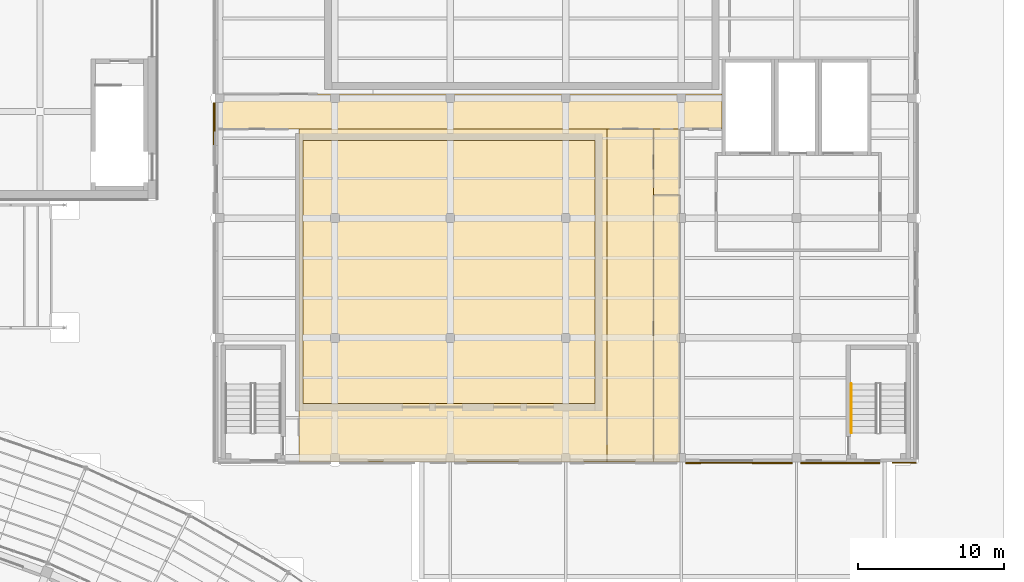
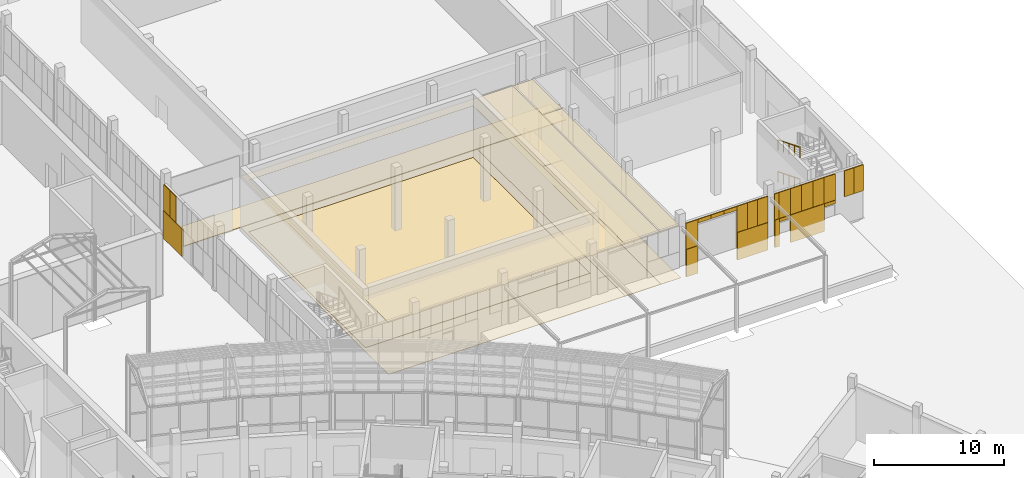
# One storey, part 148 of 155: 34 coverings, 2 railings.
"""IFC4 building model written with IfcOpenShell, lengths in metres."""

from ifc_helpers import new_model, si_unit, direction, frame, origin, origin_2d, place, context, subcontext, project, spatial, polyline, rectangle, circle, outline, extrude, material, layer, layer_set, type_object, element, save


model = new_model("IFC4")

# Units and contexts
model_context = context("Model", 3, precision=1e-05, world=origin(), true_north=direction((0.0, 1.0)))
body_context = subcontext(model_context, "Body", "Model", "MODEL_VIEW")
ifc_project = project(units=[si_unit("LENGTHUNIT", "METRE"), si_unit("AREAUNIT", "SQUARE_METRE"), si_unit("VOLUMEUNIT", "CUBIC_METRE"), si_unit("PLANEANGLEUNIT", "RADIAN"), si_unit("MASSUNIT", "GRAM", prefix="KILO")], contexts=[model_context])

# Site, building, storey
site_placement = place(None, origin())
site = spatial("IfcSite", under=ifc_project, at=site_placement, CompositionType="ELEMENT")
building_placement = place(site_placement, origin())
building = spatial("IfcBuilding", under=site, at=building_placement, Name="Lunette Opera House", CompositionType="ELEMENT")
storey_placement = place(building_placement, origin())
storey = spatial("IfcBuildingStorey", under=building, at=storey_placement, Name="L00", CompositionType="ELEMENT", Elevation=0.0)

# Coverings
ifc_material_1 = material(Name="Clinker brick", Category="masonry")
ifc_layer_1 = layer(ifc_material_1, 0.114990234375)
ifc_layer_set_1 = layer_set([ifc_layer_1], Name="Clinker brick")
covering_type_1 = type_object("IfcCoveringType", Name="CLINKER CLADDING 115", PredefinedType="CLADDING", material=ifc_layer_set_1)
covering_1_placement = place(storey_placement, frame((135.94189453125, 101.136962890625, 0.0), z_axis=(0.0, 0.0, 1.0), x_axis=(0.0, -1.0, 0.0)))
element("IfcCovering", 1, at=covering_1_placement, inside=storey, type_object=covering_type_1, Name="Clinker Cladding 115 WB L00", PredefinedType="CLADDING", context=body_context, shape_type="SweptSolid", body=[
    extrude(rectangle(XDim=2.925048828125, YDim=0.114990234375, at=origin_2d()), origin(), (0.0, 0.0, 1.0), 2.60009765625),
])
covering_2_placement = place(storey_placement, frame((168.72509765625, 77.94189453125, 0.0), z_axis=(0.0, 0.0, 1.0), x_axis=(1.0, 0.0, 0.0)))
element("IfcCovering", 2, at=covering_2_placement, inside=storey, type_object=covering_type_1, Name="Clinker Cladding 115 WB L00", PredefinedType="CLADDING", context=body_context, shape_type="SweptSolid", body=[
    extrude(rectangle(XDim=1.050048828125, YDim=0.114990234375, at=origin_2d()), origin(), (0.0, 0.0, 1.0), 2.60009765625),
])
covering_3_placement = place(storey_placement, frame((174.125, 77.94189453125, 0.0), z_axis=(0.0, 0.0, 1.0), x_axis=(1.0, 0.0, 0.0)))
element("IfcCovering", 3, at=covering_3_placement, inside=storey, type_object=covering_type_1, Name="Clinker Cladding 115 WB L00", PredefinedType="CLADDING", context=body_context, shape_type="SweptSolid", body=[
    extrude(rectangle(XDim=2.75, YDim=0.114990234375, at=origin_2d()), origin(), (0.0, 0.0, 1.0), 2.60009765625),
])
covering_4_placement = place(storey_placement, frame((176.300048828125, 77.94189453125, 0.0), z_axis=(0.0, 0.0, 1.0), x_axis=(1.0, 0.0, 0.0)))
element("IfcCovering", 4, at=covering_4_placement, inside=storey, type_object=covering_type_1, Name="Clinker Cladding 115 WB L00", PredefinedType="CLADDING", context=body_context, shape_type="SweptSolid", body=[
    extrude(rectangle(XDim=0.39990234375, YDim=0.114990234375, at=origin_2d()), origin(), (0.0, 0.0, 1.0), 2.60009765625),
])
covering_5_placement = place(storey_placement, frame((177.0, 77.94189453125, 2.2998046875), z_axis=(0.0, 0.0, 1.0), x_axis=(1.0, 0.0, 0.0)))
element("IfcCovering", 5, at=covering_5_placement, inside=storey, type_object=covering_type_1, Name="Clinker Cladding 115 WB L00", PredefinedType="CLADDING", context=body_context, shape_type="SweptSolid", body=[
    extrude(rectangle(XDim=1.0, YDim=0.114990234375, at=origin_2d()), origin(), (0.0, 0.0, 1.0), 0.300048828125),
])
covering_6_placement = place(storey_placement, frame((179.0, 77.94189453125, 0.0), z_axis=(0.0, 0.0, 1.0), x_axis=(1.0, 0.0, 0.0)))
element("IfcCovering", 6, at=covering_6_placement, inside=storey, type_object=covering_type_1, Name="Clinker Cladding 115 WB L00", PredefinedType="CLADDING", context=body_context, shape_type="SweptSolid", body=[
    extrude(rectangle(XDim=3.0, YDim=0.114990234375, at=origin_2d()), origin(), (0.0, 0.0, 1.0), 2.60009765625),
])
covering_7_placement = place(storey_placement, frame((181.0, 77.94189453125, 2.2998046875), z_axis=(0.0, 0.0, 1.0), x_axis=(1.0, 0.0, 0.0)))
element("IfcCovering", 7, at=covering_7_placement, inside=storey, type_object=covering_type_1, Name="Clinker Cladding 115 WB L00", PredefinedType="CLADDING", context=body_context, shape_type="SweptSolid", body=[
    extrude(rectangle(XDim=1.0, YDim=0.114990234375, at=origin_2d()), origin(), (0.0, 0.0, 1.0), 0.300048828125),
])
ifc_material_2 = material(Name="Dark grey aluminium cassette", Category="aluminium")
ifc_layer_2 = layer(ifc_material_2, 0.080078125)
ifc_layer_set_2 = layer_set([ifc_layer_2], Name="Dark grey aluminium cassette")
covering_type_2 = type_object("IfcCoveringType", Name="DARK METAL CASSETTE 80", PredefinedType="CLADDING", material=ifc_layer_set_2)
for number, where, z_axis, x_axis, name in (
    (8, (135.9599609375, 102.112060546875, 2.60009765625), (0.0, 0.0, 1.0), (0.0, -1.0, 0.0), "Dark Metal Cassette 80 WK L00"),
    (9, (135.9599609375, 101.136962890625, 2.60009765625), (0.0, 0.0, 1.0), (0.0, -1.0, 0.0), "Dark Metal Cassette 80 WK L00"),
):
    element("IfcCovering", number, at=place(storey_placement, frame(where, z_axis=z_axis, x_axis=x_axis)), inside=storey, type_object=covering_type_2, Name=name, PredefinedType="CLADDING", context=body_context, shape_type="SweptSolid", body=[
        extrude(rectangle(XDim=0.97509765625, YDim=0.080078125, at=origin_2d()), origin(), (0.0, 0.0, 1.0), 2.449951171875),
    ])
covering_8_placement = place(storey_placement, frame((168.72509765625, 77.9599609375, 2.60009765625), z_axis=(0.0, 0.0, 1.0), x_axis=(1.0, 0.0, 0.0)))
element("IfcCovering", 10, at=covering_8_placement, inside=storey, type_object=covering_type_2, Name="Dark Metal Cassette 80 WK L00", PredefinedType="CLADDING", context=body_context, shape_type="SweptSolid", body=[
    extrude(rectangle(XDim=1.050048828125, YDim=0.080078125, at=origin_2d()), origin(), (0.0, 0.0, 1.0), 2.449951171875),
])
for number, where, z_axis, x_axis, name in (
    (11, (169.8330078125, 77.9599609375, 4.699951171875), (0.0, 0.0, 1.0), (1.0, 0.0, 0.0), "Dark Metal Cassette 80 WK L00"),
    (12, (171.0, 77.9599609375, 4.699951171875), (0.0, 0.0, 1.0), (1.0, 0.0, 0.0), "Dark Metal Cassette 80 WK L00"),
    (13, (172.1669921875, 77.9599609375, 4.699951171875), (0.0, 0.0, 1.0), (1.0, 0.0, 0.0), "Dark Metal Cassette 80 WK L00"),
):
    element("IfcCovering", number, at=place(storey_placement, frame(where, z_axis=z_axis, x_axis=x_axis)), inside=storey, type_object=covering_type_2, Name=name, PredefinedType="CLADDING", context=body_context, shape_type="SweptSolid", body=[
        extrude(rectangle(XDim=1.1669921875, YDim=0.080078125, at=origin_2d()), origin(), (0.0, 0.0, 1.0), 0.35009765625),
    ])
for number, where, z_axis, x_axis, name in (
    (14, (173.2080078125, 77.9599609375, 2.60009765625), (0.0, 0.0, 1.0), (1.0, 0.0, 0.0), "Dark Metal Cassette 80 WK L00"),
    (15, (174.125, 77.9599609375, 2.60009765625), (0.0, 0.0, 1.0), (1.0, 0.0, 0.0), "Dark Metal Cassette 80 WK L00"),
    (16, (175.0419921875, 77.9599609375, 2.60009765625), (0.0, 0.0, 1.0), (1.0, 0.0, 0.0), "Dark Metal Cassette 80 WK L00"),
):
    element("IfcCovering", number, at=place(storey_placement, frame(where, z_axis=z_axis, x_axis=x_axis)), inside=storey, type_object=covering_type_2, Name=name, PredefinedType="CLADDING", context=body_context, shape_type="SweptSolid", body=[
        extrude(rectangle(XDim=0.9169921875, YDim=0.080078125, at=origin_2d()), origin(), (0.0, 0.0, 1.0), 2.449951171875),
    ])
covering_9_placement = place(storey_placement, frame((176.300048828125, 77.9599609375, 2.60009765625), z_axis=(0.0, 0.0, 1.0), x_axis=(1.0, 0.0, 0.0)))
element("IfcCovering", 17, at=covering_9_placement, inside=storey, type_object=covering_type_2, Name="Dark Metal Cassette 80 WK L00", PredefinedType="CLADDING", context=body_context, shape_type="SweptSolid", body=[
    extrude(rectangle(XDim=0.39990234375, YDim=0.080078125, at=origin_2d()), origin(), (0.0, 0.0, 1.0), 2.449951171875),
])
covering_10_placement = place(storey_placement, frame((177.0, 77.9599609375, 2.300048828125), z_axis=(0.0, 0.0, 1.0), x_axis=(1.0, 0.0, 0.0)))
element("IfcCovering", 18, at=covering_10_placement, inside=storey, type_object=covering_type_2, Name="Dark Metal Cassette 80 WK L00", PredefinedType="CLADDING", context=body_context, shape_type="SweptSolid", body=[
    extrude(rectangle(XDim=1.0, YDim=0.080078125, at=origin_2d()), origin(), (0.0, 0.0, 1.0), 2.75),
])
for number, where, z_axis, x_axis, name in (
    (19, (178.0, 77.9599609375, 2.60009765625), (0.0, 0.0, 1.0), (1.0, 0.0, 0.0), "Dark Metal Cassette 80 WK L00"),
    (20, (179.0, 77.9599609375, 2.60009765625), (0.0, 0.0, 1.0), (1.0, 0.0, 0.0), "Dark Metal Cassette 80 WK L00"),
    (21, (180.0, 77.9599609375, 2.60009765625), (0.0, 0.0, 1.0), (1.0, 0.0, 0.0), "Dark Metal Cassette 80 WK L00"),
):
    element("IfcCovering", number, at=place(storey_placement, frame(where, z_axis=z_axis, x_axis=x_axis)), inside=storey, type_object=covering_type_2, Name=name, PredefinedType="CLADDING", context=body_context, shape_type="SweptSolid", body=[
        extrude(rectangle(XDim=1.0, YDim=0.080078125, at=origin_2d()), origin(), (0.0, 0.0, 1.0), 2.449951171875),
    ])
covering_11_placement = place(storey_placement, frame((181.0, 77.9599609375, 2.300048828125), z_axis=(0.0, 0.0, 1.0), x_axis=(1.0, 0.0, 0.0)))
element("IfcCovering", 22, at=covering_11_placement, inside=storey, type_object=covering_type_2, Name="Dark Metal Cassette 80 WK L00", PredefinedType="CLADDING", context=body_context, shape_type="SweptSolid", body=[
    extrude(rectangle(XDim=1.0, YDim=0.080078125, at=origin_2d()), origin(), (0.0, 0.0, 1.0), 2.75),
])
for number, where, z_axis, x_axis, name in (
    (23, (182.75, 77.9599609375, 2.60009765625), (0.0, 0.0, 1.0), (1.0, 0.0, 0.0), "Dark Metal Cassette 80 WK L00"),
    (24, (183.5830078125, 77.9599609375, 2.60009765625), (0.0, 0.0, 1.0), (1.0, 0.0, 0.0), "Dark Metal Cassette 80 WK L00"),
):
    element("IfcCovering", number, at=place(storey_placement, frame(where, z_axis=z_axis, x_axis=x_axis)), inside=storey, type_object=covering_type_2, Name=name, PredefinedType="CLADDING", context=body_context, shape_type="SweptSolid", body=[
        extrude(rectangle(XDim=0.8330078125, YDim=0.080078125, at=origin_2d()), origin(), (0.0, 0.0, 1.0), 2.449951171875),
    ])
ifc_material_3 = material(Name="Cement screed")
ifc_layer_3 = layer(ifc_material_3, 0.070068359375)
ifc_layer_set_3 = layer_set([ifc_layer_3], Name="Cement screed")
covering_type_3 = type_object("IfcCoveringType", Name="SCREED FLOOR FINISH 70", PredefinedType="FLOORING", material=ifc_layer_set_3)
covering_12_placement = place(storey_placement, origin())
element("IfcCovering", 25, at=covering_12_placement, inside=storey, type_object=covering_type_3, Name="Floor finish Corridor L00 Workshop", PredefinedType="FLOORING", context=body_context, shape_type="SweptSolid", body=[
    extrude(outline(polyline([(136.0, 100.800048828125), (136.0, 103.199951171875), (170.699951171875, 103.199951171875), (170.699951171875, 100.800048828125), (136.0, 100.800048828125)])), origin(), (0.0, 0.0, 1.0), 0.070068359375),
])

# Railings
ifc_material_4 = material(Name="Steel S355", Category="steel")
railing_type = type_object("IfcRailingType", Name="STAIR HANDRAIL 1000", PredefinedType="HANDRAIL", material=ifc_material_4)
for number, where, name in (
    (26, (179.550048828125, 83.360107421875, 1.666748046875), "L00 ST20 stair handrail 2"),
    (27, (179.550048828125, 83.360107421875, 4.666748046875), "L00 ST20 stair handrail 4"),
):
    element("IfcRailing", number, at=place(storey_placement, frame(where)), inside=storey, type_object=railing_type, Name=name, PredefinedType="HANDRAIL", context=body_context, shape_type="SweptSolid", body=[
        extrude(circle(Radius=0.02392578125, at=origin_2d()), frame((0.0, 0.0, 0.97607421875), z_axis=(0.0, -0.929502471486, 0.368815882931), x_axis=(1.0, 0.0, 0.0)), (0.0, 0.0, 1.0), 3.614990234375),
        extrude(circle(Radius=0.02099609375, at=origin_2d()), origin(), (0.0, 0.0, 1.0), 0.951904296875),
        extrude(circle(Radius=0.02099609375, at=origin_2d()), frame((0.0, -0.840087890625, 0.333251953125)), (0.0, 0.0, 1.0), 0.951904296875),
        extrude(circle(Radius=0.02099609375, at=origin_2d()), frame((0.0, -1.68017578125, 0.66650390625)), (0.0, 0.0, 1.0), 0.951904296875),
        extrude(circle(Radius=0.02099609375, at=origin_2d()), frame((0.0, -2.52001953125, 1.0)), (0.0, 0.0, 1.0), 0.951904296875),
        extrude(circle(Radius=0.02099609375, at=origin_2d()), frame((0.0, -3.360107421875, 1.333251953125)), (0.0, 0.0, 1.0), 0.951904296875),
    ])

# Coverings
ifc_material_5 = material(Name="Mineral fibre board")
ifc_layer_4 = layer(ifc_material_5, 0.014892578125)
ifc_layer_set_4 = layer_set([ifc_layer_4], Name="Mineral fibre board")
covering_type_4 = type_object("IfcCoveringType", Name="SUSPENDED ACOUSTIC CEILING 15", PredefinedType="CEILING", material=ifc_layer_set_4)
covering_13_placement = place(storey_placement, frame((0.0, 0.0, 4.885009765625)))
element("IfcCovering", 28, at=covering_13_placement, inside=storey, type_object=covering_type_4, Name="Ceiling Prop Workshop", PredefinedType="CEILING", context=body_context, shape_type="SweptSolid", body=[
    extrude(outline(polyline([(141.7451171875, 78.0), (141.7451171875, 100.800048828125), (162.833984375, 100.800048828125), (162.833984375, 78.0), (141.7451171875, 78.0)]), holes=[polyline([(142.0, 100.0), (142.0, 82.0), (162.0, 82.0), (162.0, 100.0), (142.0, 100.0)])]), origin(), (0.0, 0.0, 1.0), 0.014892578125),
])
covering_14_placement = place(storey_placement, frame((0.0, 0.0, 4.885009765625)))
element("IfcCovering", 29, at=covering_14_placement, inside=storey, type_object=covering_type_4, Name="Ceiling Workshop Canteen", PredefinedType="CEILING", context=body_context, shape_type="SweptSolid", body=[
    extrude(outline(polyline([(162.833984375, 78.0), (162.833984375, 100.800048828125), (166.013916015625, 100.800048828125), (166.013916015625, 78.0), (162.833984375, 78.0)])), origin(), (0.0, 0.0, 1.0), 0.014892578125),
])
covering_15_placement = place(storey_placement, frame((0.0, 0.0, 4.885009765625)))
element("IfcCovering", 30, at=covering_15_placement, inside=storey, type_object=covering_type_4, Name="Ceiling Workshop WC", PredefinedType="CEILING", context=body_context, shape_type="SweptSolid", body=[
    extrude(outline(polyline([(166.013916015625, 96.27197265625), (167.781005859375, 96.27197265625), (167.781005859375, 78.0), (166.013916015625, 78.0), (166.013916015625, 96.27197265625)])), origin(), (0.0, 0.0, 1.0), 0.014892578125),
])
covering_16_placement = place(storey_placement, frame((0.0, 0.0, 4.885009765625)))
element("IfcCovering", 31, at=covering_16_placement, inside=storey, type_object=covering_type_4, Name="Ceiling Accessible WC Workshop", PredefinedType="CEILING", context=body_context, shape_type="SweptSolid", body=[
    extrude(outline(polyline([(166.013916015625, 100.800048828125), (167.781005859375, 100.800048828125), (167.781005859375, 96.27197265625), (166.013916015625, 96.27197265625), (166.013916015625, 100.800048828125)])), origin(), (0.0, 0.0, 1.0), 0.014892578125),
])
ifc_material_6 = material(Name="Ceramic tile")
ifc_layer_5 = layer(ifc_material_6, 0.02490234375)
ifc_layer_set_5 = layer_set([ifc_layer_5], Name="Ceramic tile")
covering_type_5 = type_object("IfcCoveringType", Name="TILED FLOOR FINISH 25", PredefinedType="FLOORING", material=ifc_layer_set_5)
covering_17_placement = place(storey_placement, origin())
element("IfcCovering", 32, at=covering_17_placement, inside=storey, type_object=covering_type_5, Name="Floor finish Workshop WC", PredefinedType="FLOORING", context=body_context, shape_type="SweptSolid", body=[
    extrude(outline(polyline([(166.013916015625, 96.27197265625), (167.781005859375, 96.27197265625), (167.781005859375, 78.0), (166.013916015625, 78.0), (166.013916015625, 96.27197265625)])), origin(), (0.0, 0.0, 1.0), 0.02490234375),
])
covering_18_placement = place(storey_placement, origin())
element("IfcCovering", 33, at=covering_18_placement, inside=storey, type_object=covering_type_5, Name="Floor finish Accessible WC Workshop", PredefinedType="FLOORING", context=body_context, shape_type="SweptSolid", body=[
    extrude(outline(polyline([(166.013916015625, 100.800048828125), (167.781005859375, 100.800048828125), (167.781005859375, 96.27197265625), (166.013916015625, 96.27197265625), (166.013916015625, 100.800048828125)])), origin(), (0.0, 0.0, 1.0), 0.02490234375),
])
ifc_material_7 = material(Name="Timber", Category="wood")
ifc_layer_6 = layer(ifc_material_7, 0.0400390625)
ifc_layer_set_6 = layer_set([ifc_layer_6], Name="Timber")
covering_type_6 = type_object("IfcCoveringType", Name="TIMBER FLOOR FINISH 40", PredefinedType="FLOORING", material=ifc_layer_set_6)
covering_19_placement = place(storey_placement, origin())
element("IfcCovering", 34, at=covering_19_placement, inside=storey, type_object=covering_type_6, Name="Floor finish Scenery Workshop Carpentry", PredefinedType="FLOORING", context=body_context, shape_type="SweptSolid", body=[
    extrude(outline(polyline([(162.0, 82.0), (162.0, 100.0), (142.0, 100.0), (142.0, 82.0), (162.0, 82.0)])), origin(), (0.0, 0.0, 1.0), 0.0400390625),
])
covering_20_placement = place(storey_placement, origin())
element("IfcCovering", 35, at=covering_20_placement, inside=storey, type_object=covering_type_6, Name="Floor finish Prop Workshop", PredefinedType="FLOORING", context=body_context, shape_type="SweptSolid", body=[
    extrude(outline(polyline([(141.7451171875, 78.0), (141.7451171875, 100.800048828125), (162.833984375, 100.800048828125), (162.833984375, 78.0), (141.7451171875, 78.0)]), holes=[polyline([(142.0, 100.0), (142.0, 82.0), (162.0, 82.0), (162.0, 100.0), (142.0, 100.0)])]), origin(), (0.0, 0.0, 1.0), 0.0400390625),
])
covering_21_placement = place(storey_placement, origin())
element("IfcCovering", 36, at=covering_21_placement, inside=storey, type_object=covering_type_6, Name="Floor finish Workshop Canteen", PredefinedType="FLOORING", context=body_context, shape_type="SweptSolid", body=[
    extrude(outline(polyline([(162.833984375, 78.0), (162.833984375, 100.800048828125), (166.013916015625, 100.800048828125), (166.013916015625, 78.0), (162.833984375, 78.0)])), origin(), (0.0, 0.0, 1.0), 0.0400390625),
])

save(model, "model.ifc")
